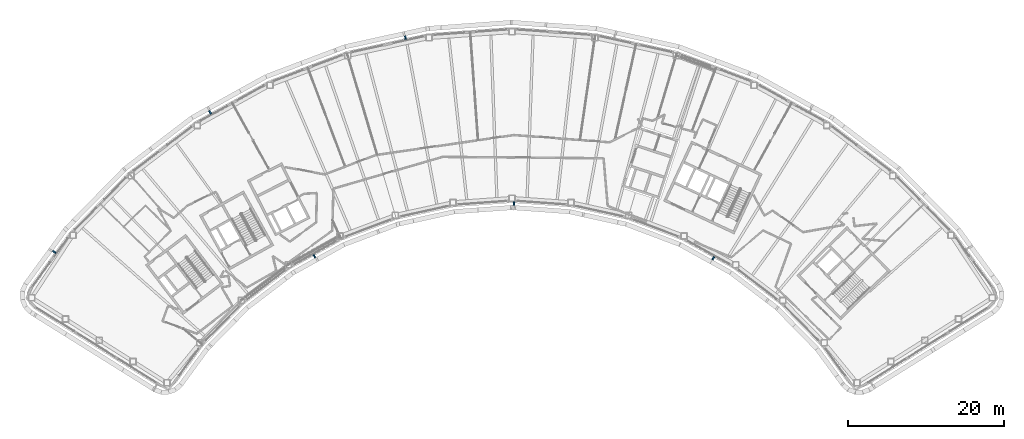
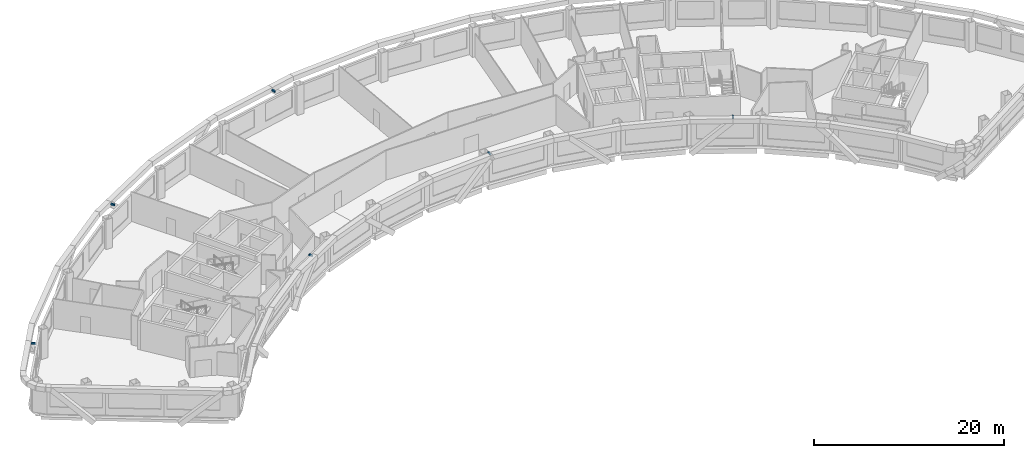
# One storey, part 13 of 18: 6 discrete accessories.
"""IFC4 building model written with IfcOpenShell, lengths in metres."""

from ifc_helpers import new_model, si_unit, direction, frame, origin, origin_2d, place, context, subcontext, project, spatial, rectangle, extrude, material, type_object, element, save


model = new_model("IFC4")

# Units and contexts
model_context = context("Model", 3, precision=1e-05, world=origin(), true_north=direction((0.0, 1.0)))
body_context = subcontext(model_context, "Body", "Model", "MODEL_VIEW")
ifc_project = project(units=[si_unit("LENGTHUNIT", "METRE"), si_unit("AREAUNIT", "SQUARE_METRE"), si_unit("VOLUMEUNIT", "CUBIC_METRE"), si_unit("PLANEANGLEUNIT", "RADIAN"), si_unit("MASSUNIT", "GRAM", prefix="KILO")], contexts=[model_context])

# Site, building, storey
site_placement = place(None, origin())
site = spatial("IfcSite", under=ifc_project, at=site_placement, CompositionType="ELEMENT")
building_placement = place(site_placement, origin())
building = spatial("IfcBuilding", under=site, at=building_placement, Name="Tuul Gate Civic Tower", CompositionType="ELEMENT")
storey_placement = place(building_placement, frame((0.0, 0.0, 234.699951171875)))
storey = spatial("IfcBuildingStorey", under=building, at=storey_placement, Name="Level 53", CompositionType="ELEMENT", Elevation=234.699951171875)

# Discrete accessories
ifc_material = material(Name="Stainless steel", Category="steel")
discrete_accessory_type = type_object("IfcDiscreteAccessoryType", Name="Screen bracket", PredefinedType="BRACKET", material=ifc_material)
discrete_accessory_1_placement = place(storey_placement, frame((-7.741943359375, 17.81640625, 3.75), z_axis=(0.0, 0.0, 1.0), x_axis=(-0.183862141473, 0.982952039996, 0.0)))
element("IfcDiscreteAccessory", 1, at=discrete_accessory_1_placement, inside=storey, type_object=discrete_accessory_type, Name="Screen bracket 11", PredefinedType="BRACKET", context=body_context, shape_type="SweptSolid", body=[
    extrude(rectangle(XDim=0.4501953125, YDim=0.199951171875, at=origin_2d()), origin(), (0.0, 0.0, 1.0), 0.199951171875),
])
discrete_accessory_2_placement = place(storey_placement, frame((-32.82666015625, 8.2216796875, 3.75), z_axis=(0.0, 0.0, 1.0), x_axis=(-0.520753375294, 0.853707164149, 0.0)))
element("IfcDiscreteAccessory", 2, at=discrete_accessory_2_placement, inside=storey, type_object=discrete_accessory_type, Name="Screen bracket 14", PredefinedType="BRACKET", context=body_context, shape_type="SweptSolid", body=[
    extrude(rectangle(XDim=0.450439453125, YDim=0.199951171875, at=origin_2d()), origin(), (0.0, 0.0, 1.0), 0.199951171875),
])
for number, where, z_axis, x_axis, name in (
    (3, (-52.828369140625, -9.686767578125, 3.75), (0.0, 0.0, 1.0), (-0.803045309849, 0.595917972819, 0.0), "Screen bracket 17"),
    (4, (-19.431884765625, -10.250244140625, 3.75), (0.0, 0.0, 1.0), (0.490462729818, -0.871462168232, 0.0), "Screen bracket 23"),
):
    element("IfcDiscreteAccessory", number, at=place(storey_placement, frame(where, z_axis=z_axis, x_axis=x_axis)), inside=storey, type_object=discrete_accessory_type, Name=name, PredefinedType="BRACKET", context=body_context, shape_type="SweptSolid", body=[
        extrude(rectangle(XDim=0.449951171875, YDim=0.199951171875, at=origin_2d()), origin(), (0.0, 0.0, 1.0), 0.199951171875),
    ])
discrete_accessory_3_placement = place(storey_placement, frame((6.204345703125, -3.48681640625, 3.75), z_axis=(0.0, 0.0, 1.0), x_axis=(-0.005096339355, -0.999987013578, 0.0)))
element("IfcDiscreteAccessory", 5, at=discrete_accessory_3_placement, inside=storey, type_object=discrete_accessory_type, Name="Screen bracket 26", PredefinedType="BRACKET", context=body_context, shape_type="SweptSolid", body=[
    extrude(rectangle(XDim=0.450927734375, YDim=0.199951171875, at=origin_2d()), origin(), (0.0, 0.0, 1.0), 0.199951171875),
])
discrete_accessory_4_placement = place(storey_placement, frame((31.775390625, -10.50732421875, 3.75), z_axis=(0.0, 0.0, 1.0), x_axis=(-0.499366548081, -0.86639081866, 0.0)))
element("IfcDiscreteAccessory", 6, at=discrete_accessory_4_placement, inside=storey, type_object=discrete_accessory_type, Name="Screen bracket 29", PredefinedType="BRACKET", context=body_context, shape_type="SweptSolid", body=[
    extrude(rectangle(XDim=0.4501953125, YDim=0.199951171875, at=origin_2d()), origin(), (0.0, 0.0, 1.0), 0.199951171875),
])

save(model, "model.ifc")
